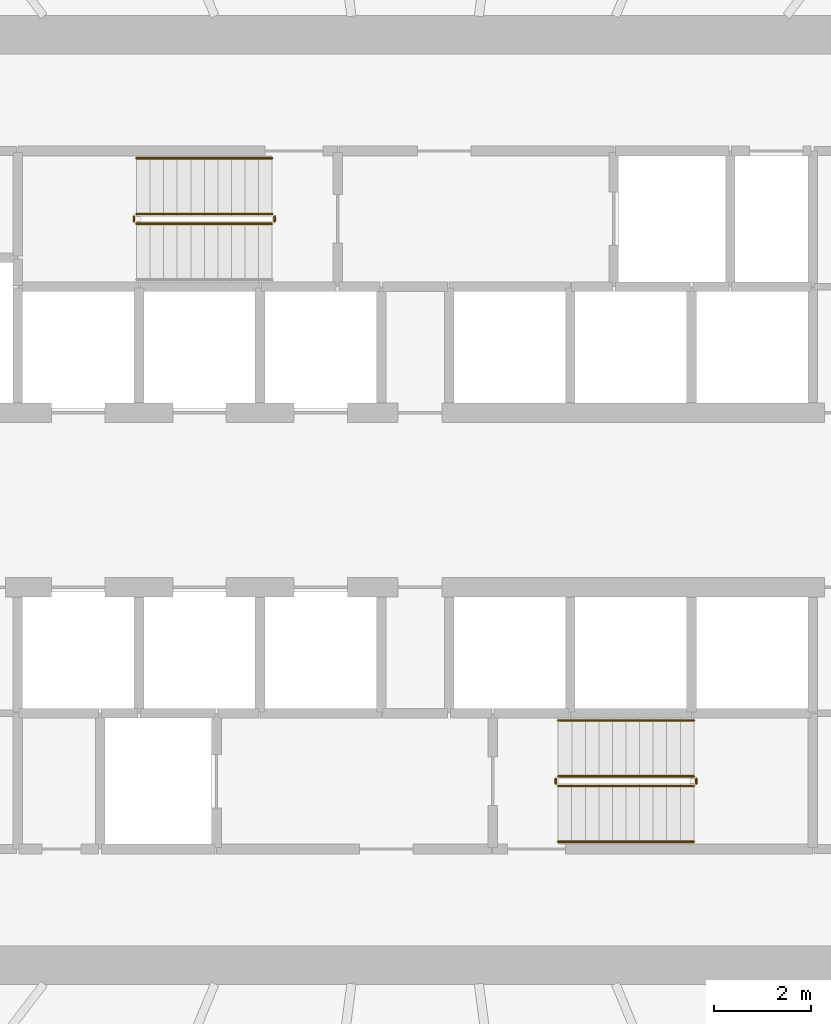
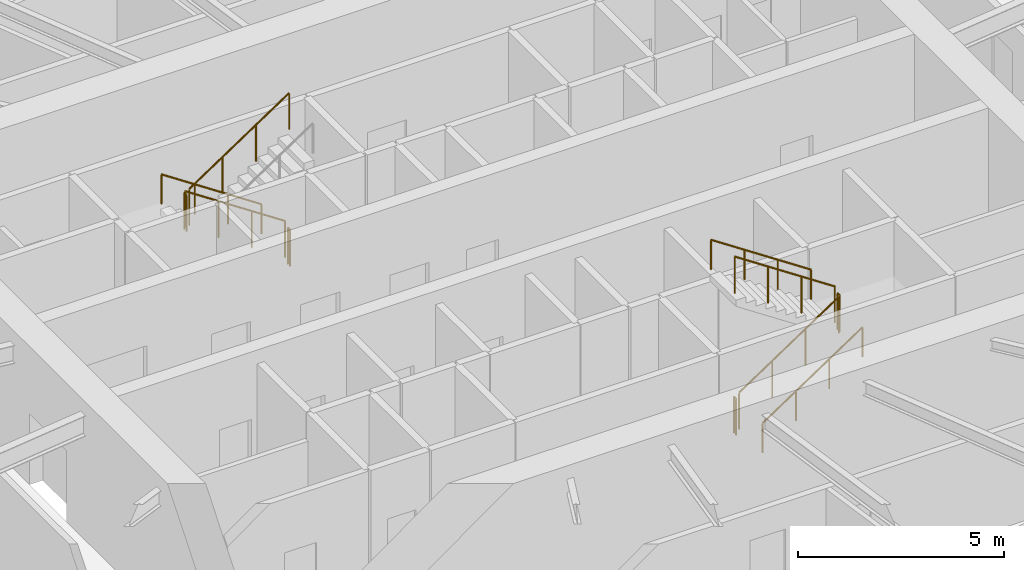
# One storey, part 16 of 17: 11 railings.
"""IFC4 building model written with IfcOpenShell, lengths in metres."""

from ifc_helpers import new_model, si_unit, direction, frame, origin, origin_2d, place, context, subcontext, project, spatial, circle, extrude, material, type_object, element, save


model = new_model("IFC4")

# Units and contexts
model_context = context("Model", 3, precision=1e-05, world=origin(), true_north=direction((0.0, 1.0)))
body_context = subcontext(model_context, "Body", "Model", "MODEL_VIEW")
ifc_project = project(units=[si_unit("LENGTHUNIT", "METRE"), si_unit("AREAUNIT", "SQUARE_METRE"), si_unit("VOLUMEUNIT", "CUBIC_METRE"), si_unit("PLANEANGLEUNIT", "RADIAN"), si_unit("MASSUNIT", "GRAM", prefix="KILO")], contexts=[model_context])

# Site, building, storey
site_placement = place(None, origin())
site = spatial("IfcSite", under=ifc_project, at=site_placement, CompositionType="ELEMENT")
building_placement = place(site_placement, origin())
building = spatial("IfcBuilding", under=site, at=building_placement, Name="Spindrift Exchange Tower", CompositionType="ELEMENT")
storey_placement = place(building_placement, frame((0.0, 0.0, 120.800048828125)))
storey = spatial("IfcBuildingStorey", under=building, at=storey_placement, Name="L28", CompositionType="ELEMENT", Elevation=120.800048828125)

# Railings
ifc_material_1 = material(Name="Steel balustrade", Category="steel")
railing_type_1 = type_object("IfcRailingType", Name="RL-STAIR-GUARD", PredefinedType="GUARDRAIL", material=ifc_material_1)
railing_1_placement = place(storey_placement, frame((49.050048828125, 53.89990234375, 0.186279296875)))
element("IfcRailing", 1, at=railing_1_placement, inside=storey, type_object=railing_type_1, Name="L28 ST1 stair guard 1", PredefinedType="GUARDRAIL", context=body_context, shape_type="SweptSolid", body=[
    extrude(circle(Radius=0.02392578125, at=origin_2d()), frame((0.0, 0.0, 1.076171875), z_axis=(-0.832452072856, 0.0, 0.554097055034), x_axis=(0.0, -1.0, 0.0)), (0.0, 0.0, 1.0), 3.363525390625),
    extrude(circle(Radius=0.02099609375, at=origin_2d()), origin(), (0.0, 0.0, 1.0), 1.052001953125),
    extrude(circle(Radius=0.02099609375, at=origin_2d()), frame((-0.933349609375, 0.0, 0.621337890625)), (0.0, 0.0, 1.0), 1.052001953125),
    extrude(circle(Radius=0.02099609375, at=origin_2d()), frame((-1.86669921875, 0.0, 1.242431640625)), (0.0, 0.0, 1.0), 1.052001953125),
    extrude(circle(Radius=0.02099609375, at=origin_2d()), frame((-2.800048828125, 0.0, 1.86376953125)), (0.0, 0.0, 1.0), 1.052001953125),
])
railing_2_placement = place(storey_placement, frame((46.199951171875, 53.85009765625, 2.050048828125)))
element("IfcRailing", 2, at=railing_2_placement, inside=storey, type_object=railing_type_1, Name="L28 ST1 stair guard 2", PredefinedType="GUARDRAIL", context=body_context, shape_type="SweptSolid", body=[
    extrude(circle(Radius=0.02392578125, at=origin_2d()), frame((0.0, 0.0, 1.076171875), z_axis=(0.0, -1.0, 0.0), x_axis=(1.0, 0.0, 0.0)), (0.0, 0.0, 1.0), 0.10009765625),
    extrude(circle(Radius=0.02099609375, at=origin_2d()), origin(), (0.0, 0.0, 1.0), 1.052001953125),
    extrude(circle(Radius=0.02099609375, at=origin_2d()), frame((0.0, -0.10009765625, 0.0)), (0.0, 0.0, 1.0), 1.052001953125),
])
railing_3_placement = place(storey_placement, frame((46.25, 53.699951171875, 2.236328125)))
element("IfcRailing", 3, at=railing_3_placement, inside=storey, type_object=railing_type_1, Name="L28 ST1 stair guard 3", PredefinedType="GUARDRAIL", context=body_context, shape_type="SweptSolid", body=[
    extrude(circle(Radius=0.02392578125, at=origin_2d()), frame((0.0, 0.0, 1.076171875), z_axis=(0.832485552168, 0.0, 0.554046753832), x_axis=(0.0, 1.0, 0.0)), (0.0, 0.0, 1.0), 3.363525390625),
    extrude(circle(Radius=0.02099609375, at=origin_2d()), origin(), (0.0, 0.0, 1.0), 1.052001953125),
    extrude(circle(Radius=0.02099609375, at=origin_2d()), frame((0.933349609375, 0.0, 0.62109375)), (0.0, 0.0, 1.0), 1.052001953125),
    extrude(circle(Radius=0.02099609375, at=origin_2d()), frame((1.86669921875, 0.0, 1.242431640625)), (0.0, 0.0, 1.0), 1.052001953125),
    extrude(circle(Radius=0.02099609375, at=origin_2d()), frame((2.800048828125, 0.0, 1.863525390625)), (0.0, 0.0, 1.0), 1.052001953125),
])
railing_4_placement = place(storey_placement, frame((49.10009765625, 53.85009765625, 0.0)))
element("IfcRailing", 4, at=railing_4_placement, inside=storey, type_object=railing_type_1, Name="L28 ST1 stair guard 4", PredefinedType="GUARDRAIL", context=body_context, shape_type="SweptSolid", body=[
    extrude(circle(Radius=0.02392578125, at=origin_2d()), frame((0.0, 0.0, 1.076171875), z_axis=(0.0, -1.0, 0.0), x_axis=(1.0, 0.0, 0.0)), (0.0, 0.0, 1.0), 0.10009765625),
    extrude(circle(Radius=0.02099609375, at=origin_2d()), origin(), (0.0, 0.0, 1.0), 1.052001953125),
    extrude(circle(Radius=0.02099609375, at=origin_2d()), frame((0.0, -0.10009765625, 0.0)), (0.0, 0.0, 1.0), 1.052001953125),
])
railing_5_placement = place(storey_placement, frame((54.949951171875, 42.10009765625, 0.186279296875)))
element("IfcRailing", 5, at=railing_5_placement, inside=storey, type_object=railing_type_1, Name="L28 ST2 stair guard 1", PredefinedType="GUARDRAIL", context=body_context, shape_type="SweptSolid", body=[
    extrude(circle(Radius=0.02392578125, at=origin_2d()), frame((0.0, 0.0, 1.076171875), z_axis=(0.832452072856, 0.0, 0.554097055034), x_axis=(0.0, 1.0, 0.0)), (0.0, 0.0, 1.0), 3.363525390625),
    extrude(circle(Radius=0.02099609375, at=origin_2d()), origin(), (0.0, 0.0, 1.0), 1.052001953125),
    extrude(circle(Radius=0.02099609375, at=origin_2d()), frame((0.933349609375, 0.0, 0.621337890625)), (0.0, 0.0, 1.0), 1.052001953125),
    extrude(circle(Radius=0.02099609375, at=origin_2d()), frame((1.86669921875, 0.0, 1.242431640625)), (0.0, 0.0, 1.0), 1.052001953125),
    extrude(circle(Radius=0.02099609375, at=origin_2d()), frame((2.800048828125, 0.0, 1.86376953125)), (0.0, 0.0, 1.0), 1.052001953125),
])
railing_6_placement = place(storey_placement, frame((57.800048828125, 42.14990234375, 2.050048828125)))
element("IfcRailing", 6, at=railing_6_placement, inside=storey, type_object=railing_type_1, Name="L28 ST2 stair guard 2", PredefinedType="GUARDRAIL", context=body_context, shape_type="SweptSolid", body=[
    extrude(circle(Radius=0.02392578125, at=origin_2d()), frame((0.0, 0.0, 1.076171875), z_axis=(0.0, 1.0, 0.0), x_axis=(-1.0, 0.0, 0.0)), (0.0, 0.0, 1.0), 0.10009765625),
    extrude(circle(Radius=0.02099609375, at=origin_2d()), origin(), (0.0, 0.0, 1.0), 1.052001953125),
    extrude(circle(Radius=0.02099609375, at=origin_2d()), frame((0.0, 0.10009765625, 0.0)), (0.0, 0.0, 1.0), 1.052001953125),
])
railing_7_placement = place(storey_placement, frame((57.75, 42.300048828125, 2.236328125)))
element("IfcRailing", 7, at=railing_7_placement, inside=storey, type_object=railing_type_1, Name="L28 ST2 stair guard 3", PredefinedType="GUARDRAIL", context=body_context, shape_type="SweptSolid", body=[
    extrude(circle(Radius=0.02392578125, at=origin_2d()), frame((0.0, 0.0, 1.076171875), z_axis=(-0.832485552168, 0.0, 0.554046753832), x_axis=(0.0, -1.0, 0.0)), (0.0, 0.0, 1.0), 3.363525390625),
    extrude(circle(Radius=0.02099609375, at=origin_2d()), origin(), (0.0, 0.0, 1.0), 1.052001953125),
    extrude(circle(Radius=0.02099609375, at=origin_2d()), frame((-0.933349609375, 0.0, 0.62109375)), (0.0, 0.0, 1.0), 1.052001953125),
    extrude(circle(Radius=0.02099609375, at=origin_2d()), frame((-1.86669921875, 0.0, 1.242431640625)), (0.0, 0.0, 1.0), 1.052001953125),
    extrude(circle(Radius=0.02099609375, at=origin_2d()), frame((-2.800048828125, 0.0, 1.863525390625)), (0.0, 0.0, 1.0), 1.052001953125),
])
railing_8_placement = place(storey_placement, frame((54.89990234375, 42.14990234375, 0.0)))
element("IfcRailing", 8, at=railing_8_placement, inside=storey, type_object=railing_type_1, Name="L28 ST2 stair guard 4", PredefinedType="GUARDRAIL", context=body_context, shape_type="SweptSolid", body=[
    extrude(circle(Radius=0.02392578125, at=origin_2d()), frame((0.0, 0.0, 1.076171875), z_axis=(0.0, 1.0, 0.0), x_axis=(-1.0, 0.0, 0.0)), (0.0, 0.0, 1.0), 0.10009765625),
    extrude(circle(Radius=0.02099609375, at=origin_2d()), origin(), (0.0, 0.0, 1.0), 1.052001953125),
    extrude(circle(Radius=0.02099609375, at=origin_2d()), frame((0.0, 0.10009765625, 0.0)), (0.0, 0.0, 1.0), 1.052001953125),
])
ifc_material_2 = material(Name="Steel tubular handrail", Category="steel")
railing_type_2 = type_object("IfcRailingType", Name="RL-STAIR-HAND", PredefinedType="HANDRAIL", material=ifc_material_2)
railing_9_placement = place(storey_placement, frame((49.050048828125, 55.050048828125, 0.186279296875)))
element("IfcRailing", 9, at=railing_9_placement, inside=storey, type_object=railing_type_2, Name="L28 ST1 stair handrail 1", PredefinedType="HANDRAIL", context=body_context, shape_type="SweptSolid", body=[
    extrude(circle(Radius=0.02392578125, at=origin_2d()), frame((0.0, 0.0, 0.8759765625), z_axis=(-0.832452072856, 0.0, 0.554097055034), x_axis=(0.0, -1.0, 0.0)), (0.0, 0.0, 1.0), 3.363525390625),
    extrude(circle(Radius=0.02099609375, at=origin_2d()), origin(), (0.0, 0.0, 1.0), 0.851806640625),
    extrude(circle(Radius=0.02099609375, at=origin_2d()), frame((-0.933349609375, 0.0, 0.621337890625)), (0.0, 0.0, 1.0), 0.851806640625),
    extrude(circle(Radius=0.02099609375, at=origin_2d()), frame((-1.86669921875, 0.0, 1.242431640625)), (0.0, 0.0, 1.0), 0.851806640625),
    extrude(circle(Radius=0.02099609375, at=origin_2d()), frame((-2.800048828125, 0.0, 1.86376953125)), (0.0, 0.0, 1.0), 0.851806640625),
])
railing_10_placement = place(storey_placement, frame((54.949951171875, 40.949951171875, 0.186279296875)))
element("IfcRailing", 10, at=railing_10_placement, inside=storey, type_object=railing_type_2, Name="L28 ST2 stair handrail 1", PredefinedType="HANDRAIL", context=body_context, shape_type="SweptSolid", body=[
    extrude(circle(Radius=0.02392578125, at=origin_2d()), frame((0.0, 0.0, 0.8759765625), z_axis=(0.832452072856, 0.0, 0.554097055034), x_axis=(0.0, 1.0, 0.0)), (0.0, 0.0, 1.0), 3.363525390625),
    extrude(circle(Radius=0.02099609375, at=origin_2d()), origin(), (0.0, 0.0, 1.0), 0.851806640625),
    extrude(circle(Radius=0.02099609375, at=origin_2d()), frame((0.933349609375, 0.0, 0.621337890625)), (0.0, 0.0, 1.0), 0.851806640625),
    extrude(circle(Radius=0.02099609375, at=origin_2d()), frame((1.86669921875, 0.0, 1.242431640625)), (0.0, 0.0, 1.0), 0.851806640625),
    extrude(circle(Radius=0.02099609375, at=origin_2d()), frame((2.800048828125, 0.0, 1.86376953125)), (0.0, 0.0, 1.0), 0.851806640625),
])
railing_11_placement = place(storey_placement, frame((57.75, 43.449951171875, 2.236328125)))
element("IfcRailing", 11, at=railing_11_placement, inside=storey, type_object=railing_type_2, Name="L28 ST2 stair handrail 2", PredefinedType="HANDRAIL", context=body_context, shape_type="SweptSolid", body=[
    extrude(circle(Radius=0.02392578125, at=origin_2d()), frame((0.0, 0.0, 0.8759765625), z_axis=(-0.832485552168, 0.0, 0.554046753832), x_axis=(0.0, -1.0, 0.0)), (0.0, 0.0, 1.0), 3.363525390625),
    extrude(circle(Radius=0.02099609375, at=origin_2d()), origin(), (0.0, 0.0, 1.0), 0.851806640625),
    extrude(circle(Radius=0.02099609375, at=origin_2d()), frame((-0.933349609375, 0.0, 0.62109375)), (0.0, 0.0, 1.0), 0.851806640625),
    extrude(circle(Radius=0.02099609375, at=origin_2d()), frame((-1.86669921875, 0.0, 1.242431640625)), (0.0, 0.0, 1.0), 0.851806640625),
    extrude(circle(Radius=0.02099609375, at=origin_2d()), frame((-2.800048828125, 0.0, 1.863525390625)), (0.0, 0.0, 1.0), 0.851806640625),
])

save(model, "model.ifc")
